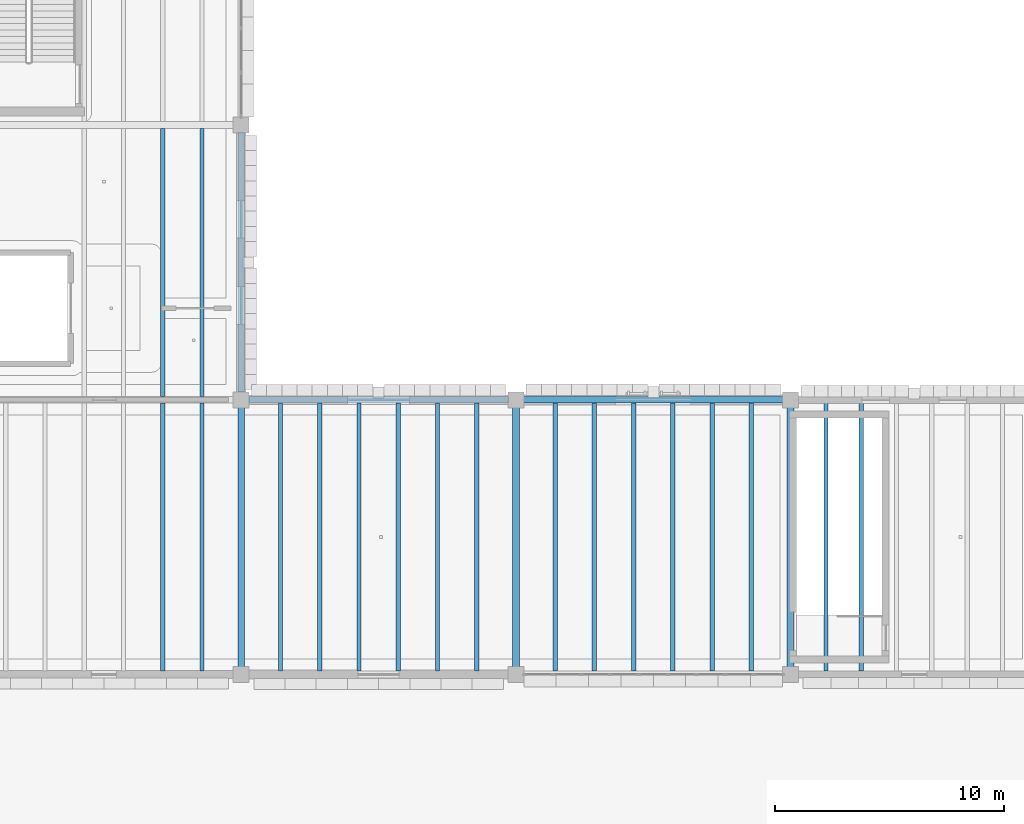
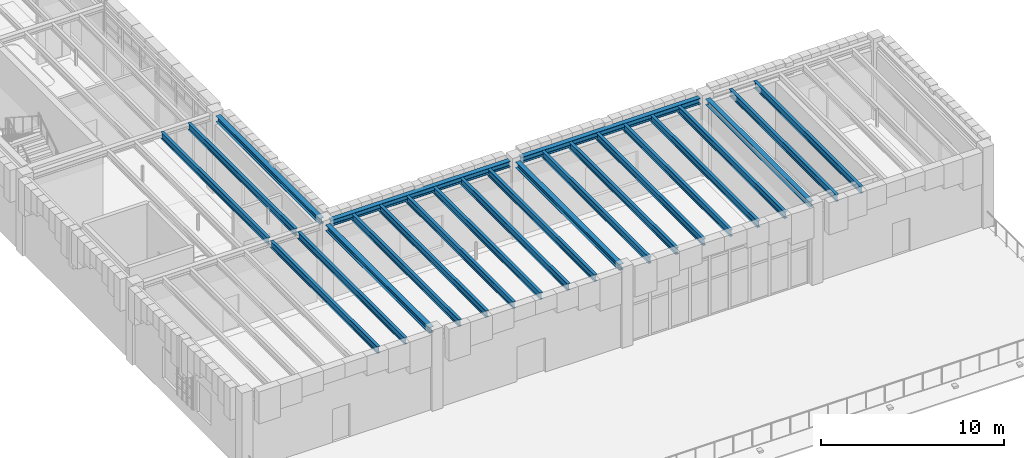
# One storey, part 38 of 100: 24 beams.
"""IFC4 building model written with IfcOpenShell, lengths in metres."""

from ifc_helpers import new_model, si_unit, direction, frame, origin, origin_2d, place, context, subcontext, project, spatial, i_section, extrude, material, material_profile, profile_set, type_object, element, save


model = new_model("IFC4")

# Units and contexts
model_context = context("Model", 3, precision=1e-05, world=origin(), true_north=direction((0.0, 1.0)))
body_context = subcontext(model_context, "Body", "Model", "MODEL_VIEW")
ifc_project = project(units=[si_unit("LENGTHUNIT", "METRE"), si_unit("AREAUNIT", "SQUARE_METRE"), si_unit("VOLUMEUNIT", "CUBIC_METRE"), si_unit("PLANEANGLEUNIT", "RADIAN"), si_unit("MASSUNIT", "GRAM", prefix="KILO")], contexts=[model_context])

# Site, building, storey
site_placement = place(None, origin())
site = spatial("IfcSite", under=ifc_project, at=site_placement, CompositionType="ELEMENT")
building_placement = place(site_placement, origin())
building = spatial("IfcBuilding", under=site, at=building_placement, Name="Zlatogorsky Bluff Art Gallery", CompositionType="ELEMENT")
storey_placement = place(building_placement, frame((0.0, 0.0, 5.39990234375)))
storey = spatial("IfcBuildingStorey", under=building, at=storey_placement, Name="L01", CompositionType="ELEMENT", Elevation=5.39990234375)

# Beams
ifc_material = material(Name="Steel S355", Category="steel")
ifc_material_profile_1 = material_profile(ifc_material, i_section(OverallWidth=0.300048828125, OverallDepth=0.389892578125, WebThickness=0.010986328125, FlangeThickness=0.01904296875, FilletRadius=0.027099609375, at=origin_2d()), Name="HEA 400")
ifc_profile_set_1 = profile_set([ifc_material_profile_1], Name="Steel S355")
beam_type_1 = type_object("IfcBeamType", Name="Beam BM-09 HEA 400", PredefinedType="BEAM", material=ifc_profile_set_1)
for number, where, z_axis, x_axis, name in (
    (1, (132.330078125, 50.39990234375, 4.9150390625), (1.0, 0.0, 0.0), (0.0, 1.0, 0.0), "Primary girder BM-09 L01 M-N/6"),
    (2, (144.330078125, 50.39990234375, 4.9150390625), (1.0, 0.0, 0.0), (0.0, 1.0, 0.0), "Primary girder BM-09 L01 N-P/6"),
):
    element("IfcBeam", number, at=place(storey_placement, frame(where, z_axis=z_axis, x_axis=x_axis)), inside=storey, type_object=beam_type_1, Name=name, PredefinedType="BEAM", context=body_context, shape_type="SweptSolid", body=[
        extrude(i_section(OverallWidth=0.300048828125, OverallDepth=0.389892578125, WebThickness=0.010986328125, FlangeThickness=0.01904296875, FilletRadius=0.027099609375, at=origin_2d()), origin(), (0.0, 0.0, 1.0), 11.33984375),
    ])
for number, where, z_axis, x_axis, name in (
    (3, (132.0, 38.72998046875, 4.9150390625), (0.0, 1.0, 0.0), (-1.0, 0.0, 0.0), "Primary girder BM-09 L01 M/5-6"),
    (4, (132.0, 50.72998046875, 4.9150390625), (0.0, 1.0, 0.0), (-1.0, 0.0, 0.0), "Primary girder BM-09 L01 M/6-7"),
    (5, (144.0, 38.72998046875, 4.9150390625), (0.0, 1.0, 0.0), (-1.0, 0.0, 0.0), "Primary girder BM-09 L01 N/5-6"),
    (6, (156.0, 38.72998046875, 4.9150390625), (0.0, 1.0, 0.0), (-1.0, 0.0, 0.0), "Primary girder BM-09 L01 P/5-6"),
):
    element("IfcBeam", number, at=place(storey_placement, frame(where, z_axis=z_axis, x_axis=x_axis)), inside=storey, type_object=beam_type_1, Name=name, PredefinedType="BEAM", context=body_context, shape_type="SweptSolid", body=[
        extrude(i_section(OverallWidth=0.300048828125, OverallDepth=0.389892578125, WebThickness=0.010986328125, FlangeThickness=0.01904296875, FilletRadius=0.027099609375, at=origin_2d()), origin(), (0.0, 0.0, 1.0), 11.340087890625),
    ])
ifc_material_profile_2 = material_profile(ifc_material, i_section(OverallWidth=0.18994140625, OverallDepth=0.449951171875, WebThickness=0.009521484375, FlangeThickness=0.0146484375, FilletRadius=0.02099609375, at=origin_2d()), Name="IPE 450")
ifc_profile_set_2 = profile_set([ifc_material_profile_2], Name="Steel S355")
beam_type_2 = type_object("IfcBeamType", Name="Beam JS-06 IPE 450", PredefinedType="JOIST", material=ifc_profile_set_2)
for number, where, z_axis, x_axis, name in (
    (7, (128.571533203125, 38.550048828125, 4.885009765625), (0.0, 1.0, 0.0), (-1.0, 0.0, 0.0), "Composite floor joist JS-06 L01 10.04.5"),
    (8, (130.28564453125, 38.550048828125, 4.885009765625), (0.0, 1.0, 0.0), (-1.0, 0.0, 0.0), "Composite floor joist JS-06 L01 10.04.6"),
    (9, (128.571533203125, 50.550048828125, 4.885009765625), (0.0, 1.0, 0.0), (-1.0, 0.0, 0.0), "Composite floor joist JS-06 L01 10.05.5"),
    (10, (130.28564453125, 50.550048828125, 4.885009765625), (0.0, 1.0, 0.0), (-1.0, 0.0, 0.0), "Composite floor joist JS-06 L01 10.05.6"),
    (11, (133.71435546875, 38.550048828125, 4.885009765625), (0.0, 1.0, 0.0), (-1.0, 0.0, 0.0), "Composite floor joist JS-06 L01 11.04.1"),
    (12, (135.428466796875, 38.550048828125, 4.885009765625), (0.0, 1.0, 0.0), (-1.0, 0.0, 0.0), "Composite floor joist JS-06 L01 11.04.2"),
    (13, (137.142822265625, 38.550048828125, 4.885009765625), (0.0, 1.0, 0.0), (-1.0, 0.0, 0.0), "Composite floor joist JS-06 L01 11.04.3"),
    (14, (138.857177734375, 38.550048828125, 4.885009765625), (0.0, 1.0, 0.0), (-1.0, 0.0, 0.0), "Composite floor joist JS-06 L01 11.04.4"),
    (15, (140.571533203125, 38.550048828125, 4.885009765625), (0.0, 1.0, 0.0), (-1.0, 0.0, 0.0), "Composite floor joist JS-06 L01 11.04.5"),
    (16, (142.28564453125, 38.550048828125, 4.885009765625), (0.0, 1.0, 0.0), (-1.0, 0.0, 0.0), "Composite floor joist JS-06 L01 11.04.6"),
    (17, (145.71435546875, 38.550048828125, 4.885009765625), (0.0, 1.0, 0.0), (-1.0, 0.0, 0.0), "Composite floor joist JS-06 L01 12.04.1"),
    (18, (147.428466796875, 38.550048828125, 4.885009765625), (0.0, 1.0, 0.0), (-1.0, 0.0, 0.0), "Composite floor joist JS-06 L01 12.04.2"),
    (19, (149.142822265625, 38.550048828125, 4.885009765625), (0.0, 1.0, 0.0), (-1.0, 0.0, 0.0), "Composite floor joist JS-06 L01 12.04.3"),
    (20, (150.857177734375, 38.550048828125, 4.885009765625), (0.0, 1.0, 0.0), (-1.0, 0.0, 0.0), "Composite floor joist JS-06 L01 12.04.4"),
    (21, (152.571533203125, 38.550048828125, 4.885009765625), (0.0, 1.0, 0.0), (-1.0, 0.0, 0.0), "Composite floor joist JS-06 L01 12.04.5"),
    (22, (154.28564453125, 38.550048828125, 4.885009765625), (0.0, 1.0, 0.0), (-1.0, 0.0, 0.0), "Composite floor joist JS-06 L01 12.04.6"),
    (23, (157.54296875, 38.550048828125, 4.885009765625), (0.0, 1.0, 0.0), (-1.0, 0.0, 0.0), "Composite floor joist JS-06 L01 13.04.1"),
    (24, (159.085693359375, 38.550048828125, 4.885009765625), (0.0, 1.0, 0.0), (-1.0, 0.0, 0.0), "Composite floor joist JS-06 L01 13.04.2"),
):
    element("IfcBeam", number, at=place(storey_placement, frame(where, z_axis=z_axis, x_axis=x_axis)), inside=storey, type_object=beam_type_2, Name=name, PredefinedType="JOIST", context=body_context, shape_type="SweptSolid", body=[
        extrude(i_section(OverallWidth=0.18994140625, OverallDepth=0.449951171875, WebThickness=0.009521484375, FlangeThickness=0.0146484375, FilletRadius=0.02099609375, at=origin_2d()), origin(), (0.0, 0.0, 1.0), 11.699951171875),
    ])

save(model, "model.ifc")
